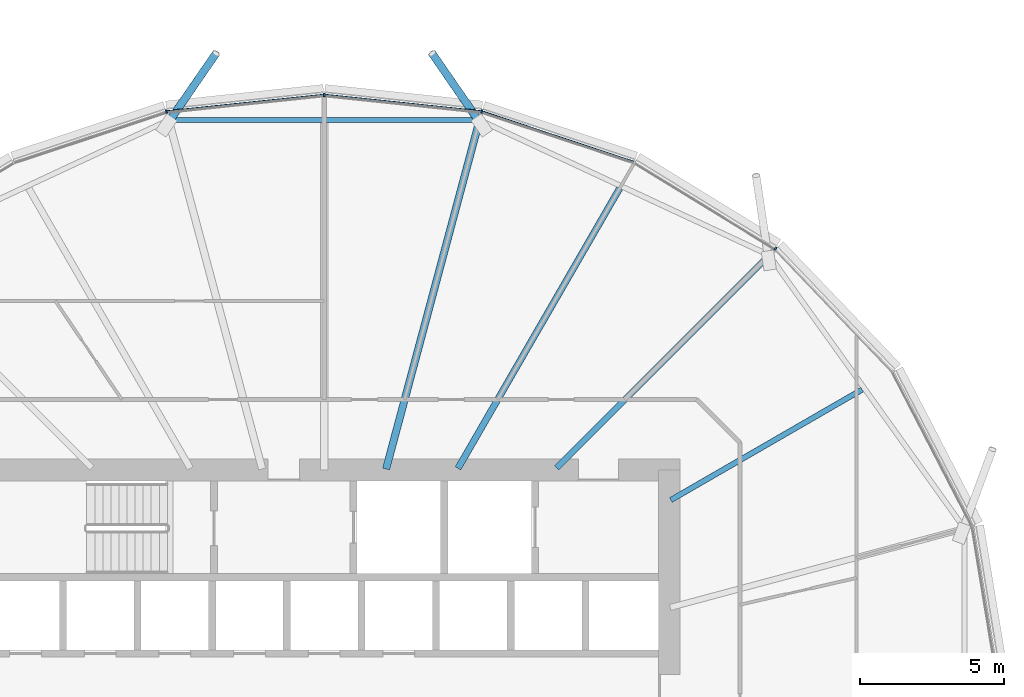
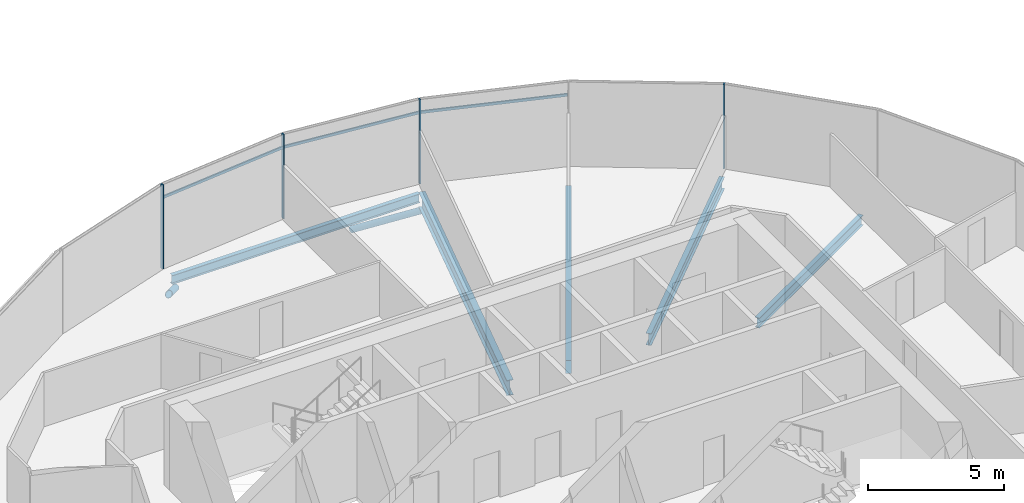
# One storey, part 9 of 39: 9 members, 5 beams, 1 element without a shape of its own.
"""IFC4 building model written with IfcOpenShell, lengths in metres."""

from ifc_helpers import new_model, si_unit, direction, frame, origin, origin_2d, place, context, subcontext, project, spatial, rectangle, hollow_circle, i_section, extrude, clip, halfspace, material, material_profile, profile_set, type_object, element, aggregate, save


model = new_model("IFC4")

# Units and contexts
model_context = context("Model", 3, precision=1e-05, world=origin(), true_north=direction((0.0, 1.0)))
body_context = subcontext(model_context, "Body", "Model", "MODEL_VIEW")
ifc_project = project(units=[si_unit("LENGTHUNIT", "METRE"), si_unit("AREAUNIT", "SQUARE_METRE"), si_unit("VOLUMEUNIT", "CUBIC_METRE"), si_unit("PLANEANGLEUNIT", "RADIAN"), si_unit("MASSUNIT", "GRAM", prefix="KILO")], contexts=[model_context])

# Site, building, storey
site_placement = place(None, origin())
site = spatial("IfcSite", under=ifc_project, at=site_placement, CompositionType="ELEMENT")
building_placement = place(site_placement, origin())
building = spatial("IfcBuilding", under=site, at=building_placement, Name="Rimbun Link Towers", CompositionType="ELEMENT")
storey_placement = place(building_placement, frame((0.0, 0.0, 100.60009765625)))
storey = spatial("IfcBuildingStorey", under=building, at=storey_placement, Name="L24", CompositionType="ELEMENT", Elevation=100.60009765625)

# Curtain wall, members
ifc_material_1 = material(Name="Aluminium 6063-T6 and low-iron glass", Category="aluminium")
curtain_wall_type = type_object("IfcCurtainWallType", Name="CW1-Z2 unitised vision wall (zone 2)", PredefinedType="NOTDEFINED", material=ifc_material_1)
curtain_wall_placement = place(storey_placement, origin())
curtain_wall = element("IfcCurtainWall", 1, at=curtain_wall_placement, inside=storey, type_object=curtain_wall_type, Name="CW1 L24 T1", PredefinedType="NOTDEFINED")
ifc_material_2 = material(Name="Aluminium 6063-T6", Category="aluminium")
ifc_material_profile_1 = material_profile(ifc_material_2, rectangle(XDim=0.1201171875, YDim=0.06005859375, at=origin_2d()), Name="MULLION 60X120")
ifc_profile_set_1 = profile_set([ifc_material_profile_1], Name="Aluminium 6063-T6")
member_type_1 = type_object("IfcMemberType", Name="CW1 mullion 60X120", PredefinedType="MULLION", material=ifc_profile_set_1)
member_1_placement = place(storey_placement, frame((-16.064697265625, 15.6943359375, 0.0), z_axis=(0.0, 0.0, 1.0), x_axis=(0.627674945786, 0.778475537466, 0.0)))
member_1 = element("IfcMember", 2, at=member_1_placement, type_object=member_type_1, Name="CW1 mullion", PredefinedType="MULLION", context=body_context, shape_type="SweptSolid", body=[
    extrude(rectangle(XDim=0.1201171875, YDim=0.06005859375, at=origin_2d()), origin(), (0.0, 0.0, 1.0), 3.7998046875),
])
member_2_placement = place(storey_placement, frame((-26.270751953125, 20.4599609375, 0.0), z_axis=(0.0, 0.0, 1.0), x_axis=(0.210863294112, 0.97751556059, 0.0)))
member_2 = element("IfcMember", 3, at=member_2_placement, type_object=member_type_1, Name="CW1 mullion", PredefinedType="MULLION", context=body_context, shape_type="SweptSolid", body=[
    extrude(rectangle(XDim=0.1201171875, YDim=0.06005859375, at=origin_2d()), origin(), (0.0, 0.0, 1.0), 3.7998046875),
])
member_3_placement = place(storey_placement, frame((-31.75, 21.037109375, 0.0), z_axis=(0.0, 0.0, 1.0), x_axis=(0.0, 1.0, 0.0)))
member_3 = element("IfcMember", 4, at=member_3_placement, type_object=member_type_1, Name="CW1 mullion", PredefinedType="MULLION", context=body_context, shape_type="SweptSolid", body=[
    extrude(rectangle(XDim=0.1201171875, YDim=0.06005859375, at=origin_2d()), origin(), (0.0, 0.0, 1.0), 3.7998046875),
])
member_4_placement = place(storey_placement, frame((-37.229248046875, 20.4599609375, 0.0), z_axis=(0.0, 0.0, 1.0), x_axis=(-0.210863294112, 0.97751556059, 0.0)))
member_4 = element("IfcMember", 5, at=member_4_placement, type_object=member_type_1, Name="CW1 mullion", PredefinedType="MULLION", context=body_context, shape_type="SweptSolid", body=[
    extrude(rectangle(XDim=0.1201171875, YDim=0.06005859375, at=origin_2d()), origin(), (0.0, 0.0, 1.0), 3.7998046875),
])
ifc_material_3 = material(Name="Aluminium 6063-T6", Category="aluminium")
ifc_material_profile_2 = material_profile(ifc_material_3, rectangle(XDim=0.06005859375, YDim=0.1201171875, at=origin_2d()), Name="TRANSOM 60X120")
ifc_profile_set_2 = profile_set([ifc_material_profile_2], Name="Aluminium 6063-T6")
member_type_2 = type_object("IfcMemberType", Name="CW1 transom 60X120", PredefinedType="USERDEFINED", material=ifc_profile_set_2)
member_5_placement = place(storey_placement, frame((-26.23681640625, 20.447021484375, 3.199951171875), z_axis=(0.949234500962, -0.314569328102, 0.0), x_axis=(0.314569328102, 0.949234500962, 0.0)))
member_5 = element("IfcMember", 6, at=member_5_placement, type_object=member_type_2, Name="CW1 transom", ObjectType="TRANSOM", PredefinedType="USERDEFINED", context=body_context, shape_type="SweptSolid", body=[
    extrude(rectangle(XDim=0.06005859375, YDim=0.1201171875, at=origin_2d()), origin(), (0.0, 0.0, 1.0), 5.52197265625),
])
member_6_placement = place(storey_placement, frame((-31.714111328125, 21.031494140625, 3.199951171875), z_axis=(0.994501515201, -0.104722186104, 0.0), x_axis=(0.104722186104, 0.994501515201, 0.0)))
member_6 = element("IfcMember", 7, at=member_6_placement, type_object=member_type_2, Name="CW1 transom", ObjectType="TRANSOM", PredefinedType="USERDEFINED", context=body_context, shape_type="SweptSolid", body=[
    extrude(rectangle(XDim=0.06005859375, YDim=0.1201171875, at=origin_2d()), origin(), (0.0, 0.0, 1.0), 5.4365234375),
])
member_7_placement = place(storey_placement, frame((-37.192626953125, 20.462158203125, 3.199951171875), z_axis=(0.994501515201, 0.104722186104, 0.0), x_axis=(-0.104722186104, 0.994501515201, 0.0)))
member_7 = element("IfcMember", 8, at=member_7_placement, type_object=member_type_2, Name="CW1 transom", ObjectType="TRANSOM", PredefinedType="USERDEFINED", context=body_context, shape_type="SweptSolid", body=[
    extrude(rectangle(XDim=0.06005859375, YDim=0.1201171875, at=origin_2d()), origin(), (0.0, 0.0, 1.0), 5.4365234375),
])
aggregate(curtain_wall, [member_1, member_2, member_3, member_4, member_5, member_6, member_7])

# Members
ifc_material_4 = material(Name="Steel S355J2H", Category="steel")
ifc_material_profile_3 = material_profile(ifc_material_4, hollow_circle(Radius=0.136474609375, WallThickness=0.012451171875, at=origin_2d()), Name="CHS 273x12.5")
ifc_profile_set_3 = profile_set([ifc_material_profile_3], Name="Steel S355J2H")
member_type_3 = type_object("IfcMemberType", Name="Floor edge link CHS 273x12.5", PredefinedType="BRACE", material=ifc_profile_set_3)
for number, where, z_axis, x_axis, name in (
    (9, (-26.36181640625, 20.1083984375, -0.960693359375), (-0.486492662099, 0.705479534708, -0.515386763346), (-0.823237298778, -0.56769741051, 0.0), "Floor edge link T1 L24 05"),
    (10, (-37.13818359375, 20.1083984375, -0.960693359375), (0.486492662099, 0.705479534708, -0.515386763346), (-0.823237298778, 0.56769741051, 0.0), "Floor edge link T1 L24 07"),
):
    element("IfcMember", number, at=place(storey_placement, frame(where, z_axis=z_axis, x_axis=x_axis)), inside=storey, type_object=member_type_3, Name=name, PredefinedType="BRACE", context=body_context, shape_type="Clipping", body=[
        clip(extrude(hollow_circle(Radius=0.136474609375, WallThickness=0.012451171875, at=origin_2d()), frame((0.0, 0.0, -0.473388671875)), (0.0, 0.0, 1.0), 3.8447265625), halfspace(frame((0.0, 0.0, -0.223388671875), z_axis=(0.0, 0.856957691002, -0.515386763346)), False)),
    ])

# Beams
ifc_material_5 = material(Name="Steel S355J2", Category="steel")
ifc_material_profile_4 = material_profile(ifc_material_5, i_section(OverallWidth=0.177978515625, OverallDepth=0.406494140625, WebThickness=0.0078125, FlangeThickness=0.0126953125, at=origin_2d()), Name="UB 406x178x60")
ifc_profile_set_4 = profile_set([ifc_material_profile_4], Name="Steel S355J2")
beam_type_1 = type_object("IfcBeamType", Name="UB 406x178x60", PredefinedType="BEAM", material=ifc_profile_set_4)
beam_1_placement = place(storey_placement, frame((-26.481201171875, 20.15673828125, -0.36328125), z_axis=(-1.0, 0.0, 0.0), x_axis=(0.0, -1.0, 0.0)))
element("IfcBeam", 11, at=beam_1_placement, inside=storey, type_object=beam_type_1, Name="Edge beam T1 L24 05-07", PredefinedType="BEAM", context=body_context, shape_type="SweptSolid", body=[
    extrude(i_section(OverallWidth=0.177978515625, OverallDepth=0.406494140625, WebThickness=0.0078125, FlangeThickness=0.0126953125, at=origin_2d()), origin(), (0.0, 0.0, 1.0), 10.53759765625),
])
ifc_material_6 = material(Name="Steel S355J2", Category="steel")
ifc_material_profile_5 = material_profile(ifc_material_6, i_section(OverallWidth=0.18994140625, OverallDepth=0.453369140625, WebThickness=0.008544921875, FlangeThickness=0.0126953125, at=origin_2d()), Name="UB 457x191x67")
ifc_profile_set_5 = profile_set([ifc_material_profile_5], Name="Steel S355J2")
beam_type_2 = type_object("IfcBeamType", Name="UB 457x191x67", PredefinedType="BEAM", material=ifc_profile_set_5)
beam_2_placement = place(storey_placement, frame((-19.70166015625, 6.9560546875, -0.38671875), z_axis=(0.866012339475, 0.500022627366, 0.0), x_axis=(-0.500022627366, 0.866012339475, 0.0)))
element("IfcBeam", 12, at=beam_2_placement, inside=storey, type_object=beam_type_2, Name="Radial beam T1 L24 02", PredefinedType="BEAM", context=body_context, shape_type="SweptSolid", body=[
    extrude(i_section(OverallWidth=0.18994140625, OverallDepth=0.453369140625, WebThickness=0.008544921875, FlangeThickness=0.0126953125, at=origin_2d()), origin(), (0.0, 0.0, 1.0), 7.674072265625),
])
ifc_material_7 = material(Name="Steel S355J2", Category="steel")
ifc_material_profile_6 = material_profile(ifc_material_7, i_section(OverallWidth=0.209228515625, OverallDepth=0.533203125, WebThickness=0.010009765625, FlangeThickness=0.015625, at=origin_2d()), Name="UB 533x210x92")
ifc_profile_set_6 = profile_set([ifc_material_profile_6], Name="Steel S355J2")
beam_type_3 = type_object("IfcBeamType", Name="UB 533x210x92", PredefinedType="BEAM", material=ifc_profile_set_6)
beam_3_placement = place(storey_placement, frame((-23.67529296875, 8.07470703125, -0.426513671875), z_axis=(0.707106781187, 0.707106781187, 0.0), x_axis=(-0.707106781187, 0.707106781187, 0.0)))
element("IfcBeam", 13, at=beam_3_placement, inside=storey, type_object=beam_type_3, Name="Radial beam T1 L24 03", PredefinedType="BEAM", context=body_context, shape_type="SweptSolid", body=[
    extrude(i_section(OverallWidth=0.209228515625, OverallDepth=0.533203125, WebThickness=0.010009765625, FlangeThickness=0.015625, at=origin_2d()), origin(), (0.0, 0.0, 1.0), 10.45263671875),
])
ifc_material_8 = material(Name="Steel S355J2", Category="steel")
ifc_material_profile_7 = material_profile(ifc_material_8, i_section(OverallWidth=0.2275390625, OverallDepth=0.6025390625, WebThickness=0.010498046875, FlangeThickness=0.014892578125, at=origin_2d()), Name="UB 610x229x101")
ifc_profile_set_7 = profile_set([ifc_material_profile_7], Name="Steel S355J2")
beam_type_4 = type_object("IfcBeamType", Name="UB 610x229x101", PredefinedType="BEAM", material=ifc_profile_set_7)
beam_4_placement = place(storey_placement, frame((-27.097900390625, 8.057861328125, -0.46142578125), z_axis=(0.50001148964, 0.866018770136, 0.0), x_axis=(-0.866018770136, 0.50001148964, 0.0)))
element("IfcBeam", 14, at=beam_4_placement, inside=storey, type_object=beam_type_4, Name="Radial beam T1 L24 04", PredefinedType="BEAM", context=body_context, shape_type="SweptSolid", body=[
    extrude(i_section(OverallWidth=0.2275390625, OverallDepth=0.6025390625, WebThickness=0.010498046875, FlangeThickness=0.014892578125, at=origin_2d()), origin(), (0.0, 0.0, 1.0), 11.235595703125),
])
ifc_material_9 = material(Name="Steel S355J2", Category="steel")
ifc_material_profile_8 = material_profile(ifc_material_9, i_section(OverallWidth=0.253662109375, OverallDepth=0.68359375, WebThickness=0.012451171875, FlangeThickness=0.01904296875, at=origin_2d()), Name="UB 686x254x140")
ifc_profile_set_8 = profile_set([ifc_material_profile_8], Name="Steel S355J2")
beam_type_5 = type_object("IfcBeamType", Name="UB 686x254x140", PredefinedType="BEAM", material=ifc_profile_set_8)
beam_5_placement = place(storey_placement, frame((-29.597412109375, 8.03369140625, -0.501953125), z_axis=(0.258813870741, 0.96592721274, 0.0), x_axis=(-0.96592721274, 0.258813870741, 0.0)))
element("IfcBeam", 15, at=beam_5_placement, inside=storey, type_object=beam_type_5, Name="Radial beam T1 L24 05", PredefinedType="BEAM", context=body_context, shape_type="SweptSolid", body=[
    extrude(i_section(OverallWidth=0.253662109375, OverallDepth=0.68359375, WebThickness=0.012451171875, FlangeThickness=0.01904296875, at=origin_2d()), origin(), (0.0, 0.0, 1.0), 12.55078125),
])

save(model, "model.ifc")
